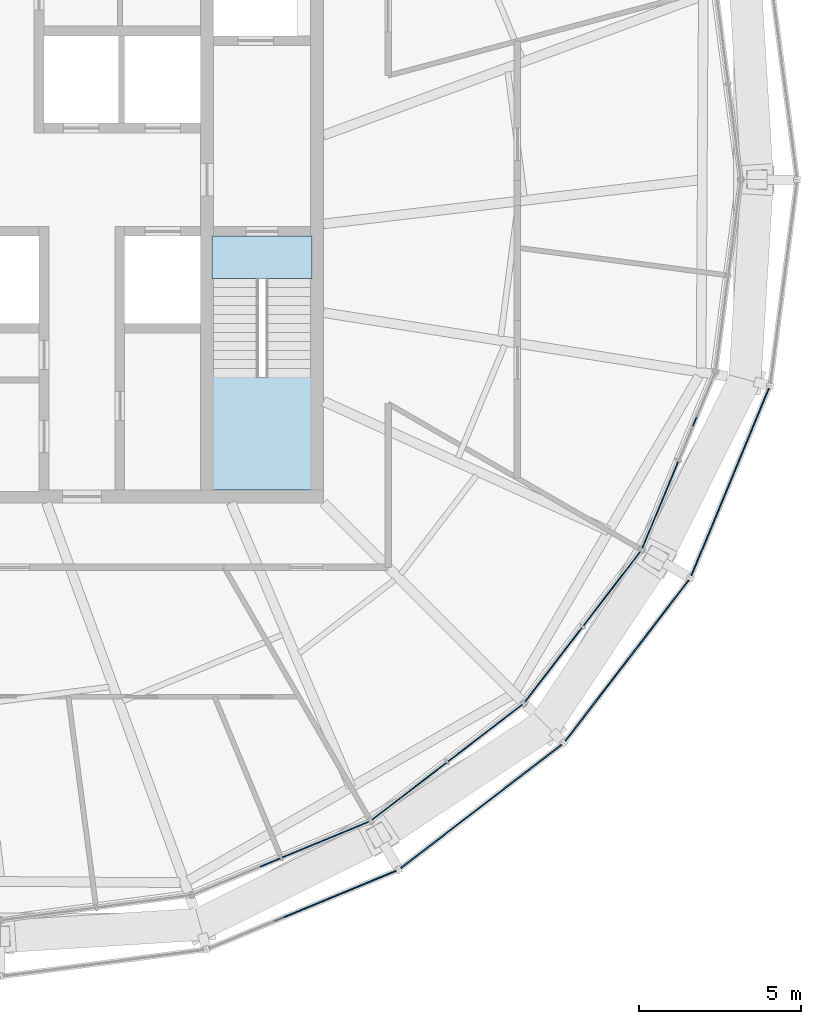
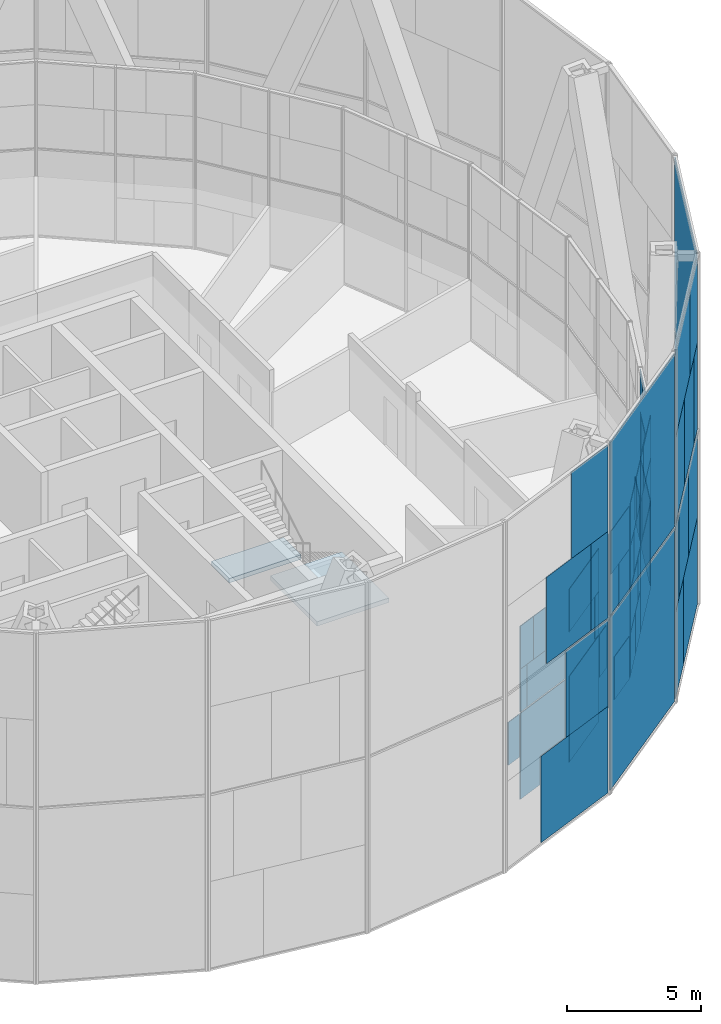
# One storey, part 14 of 23: 57 plates, 2 slabs, 9 elements without a shape of their own.
"""IFC4 building model written with IfcOpenShell, lengths in metres."""

from ifc_helpers import new_model, si_unit, direction, frame, origin, origin_2d, place, context, subcontext, project, spatial, polyline, rectangle, outline, extrude, material, layer, layer_set, type_object, element, aggregate, save


model = new_model("IFC4")

# Units and contexts
model_context = context("Model", 3, precision=1e-05, world=origin(), true_north=direction((0.0, 1.0)))
body_context = subcontext(model_context, "Body", "Model", "MODEL_VIEW")
ifc_project = project(units=[si_unit("LENGTHUNIT", "METRE"), si_unit("AREAUNIT", "SQUARE_METRE"), si_unit("VOLUMEUNIT", "CUBIC_METRE"), si_unit("PLANEANGLEUNIT", "RADIAN"), si_unit("MASSUNIT", "GRAM", prefix="KILO")], contexts=[model_context])

# Site, building, storey
site_placement = place(None, origin())
site = spatial("IfcSite", under=ifc_project, at=site_placement, CompositionType="ELEMENT")
building_placement = place(site_placement, origin())
building = spatial("IfcBuilding", under=site, at=building_placement, Name="Golbaran Civic Tower", CompositionType="ELEMENT")
storey_placement = place(building_placement, frame((0.0, 0.0, 232.0)))
storey = spatial("IfcBuildingStorey", under=building, at=storey_placement, Name="L56", CompositionType="ELEMENT", Elevation=232.0)

# Curtain wall, plates
ifc_material_1 = material(Name="Aluminium and glass", Category="aluminium")
curtain_wall_type_1 = type_object("IfcCurtainWallType", Name="INNER SKIN CURTAIN WALL EXECUTIVE", PredefinedType="NOTDEFINED", material=ifc_material_1)
curtain_wall_1_placement = place(storey_placement, origin())
curtain_wall_1 = element("IfcCurtainWall", 1, at=curtain_wall_1_placement, inside=storey, type_object=curtain_wall_type_1, Name="Inner skin L56 facet 20 CW2", ObjectType="INNER SKIN", PredefinedType="USERDEFINED")
ifc_material_2 = material(Name="Clear insulating glass", Category="glass")
ifc_layer_1 = layer(ifc_material_2, 0.031982421875, Name="Clear insulating glass")
ifc_layer_set_1 = layer_set([ifc_layer_1], Name="Clear insulating glass")
plate_type_1 = type_object("IfcPlateType", Name="INNER SKIN CURTAIN WALL EXECUTIVE GLAZED PANEL", PredefinedType="CURTAIN_PANEL", material=ifc_layer_set_1)
plate_1_placement = place(storey_placement, frame((8.356689453125, -21.127197265625, 2.014892578125), z_axis=(0.0, 0.0, 1.0), x_axis=(0.923879532511, 0.382683432365, 0.0)))
plate_1 = element("IfcPlate", 2, at=plate_1_placement, type_object=plate_type_1, Name="CW2 panel 1.1 part 4", PredefinedType="CURTAIN_PANEL", context=body_context, shape_type="SweptSolid", body=[
    extrude(rectangle(XDim=0.668701171875, YDim=0.031982421875, at=origin_2d()), origin(), (0.0, 0.0, 1.0), 1.955078125),
])
plate_2_placement = place(storey_placement, frame((10.06103515625, -20.421142578125, 0.06005859375), z_axis=(0.0, 0.0, 1.0), x_axis=(0.923879532511, 0.382683432365, 0.0)))
plate_2 = element("IfcPlate", 3, at=plate_2_placement, type_object=plate_type_1, Name="CW2 panel 2.1", PredefinedType="CURTAIN_PANEL", context=body_context, shape_type="SweptSolid", body=[
    extrude(rectangle(XDim=2.900634765625, YDim=0.031982421875, at=origin_2d()), origin(), (0.0, 0.0, 1.0), 3.909912109375),
])
plate_3_placement = place(storey_placement, frame((10.245849609375, -20.3447265625, 4.030029296875), z_axis=(0.0, 0.0, 1.0), x_axis=(0.923879532511, 0.382683432365, 0.0)))
plate_3 = element("IfcPlate", 4, at=plate_3_placement, type_object=plate_type_1, Name="CW2 panel 2.2 part 2", PredefinedType="CURTAIN_PANEL", context=body_context, shape_type="SweptSolid", body=[
    extrude(rectangle(XDim=2.500732421875, YDim=0.031982421875, at=origin_2d()), origin(), (0.0, 0.0, 1.0), 1.955078125),
])
plate_4_placement = place(storey_placement, frame((10.431640625, -20.267822265625, 5.98486328125), z_axis=(0.0, 0.0, 1.0), x_axis=(0.923879532511, 0.382683432365, 0.0)))
plate_4 = element("IfcPlate", 5, at=plate_4_placement, type_object=plate_type_1, Name="CW2 panel 2.2 part 4", PredefinedType="CURTAIN_PANEL", context=body_context, shape_type="SweptSolid", body=[
    extrude(rectangle(XDim=2.0986328125, YDim=0.031982421875, at=origin_2d()), origin(), (0.0, 0.0, 1.0), 1.955078125),
])

curtain_wall_2_placement = place(storey_placement, origin())
curtain_wall_2 = element("IfcCurtainWall", 6, at=curtain_wall_2_placement, inside=storey, type_object=curtain_wall_type_1, Name="Inner skin L56 facet 21 CW2", ObjectType="INNER SKIN", PredefinedType="USERDEFINED")
plate_5_placement = place(storey_placement, frame((12.65478515625, -18.923828125, 0.06005859375), z_axis=(0.0, 0.0, 1.0), x_axis=(0.793353340238, 0.608761429078, 0.0)))
plate_5 = element("IfcPlate", 7, at=plate_5_placement, type_object=plate_type_1, Name="CW2 panel 1.1", PredefinedType="CURTAIN_PANEL", context=body_context, shape_type="SweptSolid", body=[
    extrude(rectangle(XDim=2.900634765625, YDim=0.031982421875, at=origin_2d()), origin(), (0.0, 0.0, 1.0), 3.909912109375),
])
plate_6_placement = place(storey_placement, frame((12.495361328125, -19.046142578125, 4.030029296875), z_axis=(0.0, 0.0, 1.0), x_axis=(0.793353340238, 0.608761429078, 0.0)))
plate_6 = element("IfcPlate", 8, at=plate_6_placement, type_object=plate_type_1, Name="CW2 panel 1.2 part 1", PredefinedType="CURTAIN_PANEL", context=body_context, shape_type="SweptSolid", body=[
    extrude(rectangle(XDim=2.4990234375, YDim=0.031982421875, at=origin_2d()), origin(), (0.0, 0.0, 1.0), 1.955078125),
])
plate_7_placement = place(storey_placement, frame((12.33642578125, -19.168212890625, 5.98486328125), z_axis=(0.0, 0.0, 1.0), x_axis=(0.793353340238, 0.608761429078, 0.0)))
plate_7 = element("IfcPlate", 9, at=plate_7_placement, type_object=plate_type_1, Name="CW2 panel 1.2 part 3", PredefinedType="CURTAIN_PANEL", context=body_context, shape_type="SweptSolid", body=[
    extrude(rectangle(XDim=2.097900390625, YDim=0.031982421875, at=origin_2d()), origin(), (0.0, 0.0, 1.0), 1.955078125),
])
plate_8_placement = place(storey_placement, frame((14.41748046875, -17.5712890625, 0.06005859375), z_axis=(0.0, 0.0, 1.0), x_axis=(0.793353340238, 0.608761429078, 0.0)))
plate_8 = element("IfcPlate", 10, at=plate_8_placement, type_object=plate_type_1, Name="CW2 panel 2.1 part 1", PredefinedType="CURTAIN_PANEL", context=body_context, shape_type="SweptSolid", body=[
    extrude(rectangle(XDim=1.423095703125, YDim=0.031982421875, at=origin_2d()), origin(), (0.0, 0.0, 1.0), 1.955078125),
])
plate_9_placement = place(storey_placement, frame((14.118408203125, -17.80078125, 2.014892578125), z_axis=(0.0, 0.0, 1.0), x_axis=(0.793353340238, 0.608761429078, 0.0)))
plate_9 = element("IfcPlate", 11, at=plate_9_placement, type_object=plate_type_1, Name="CW2 panel 2.1 part 3", PredefinedType="CURTAIN_PANEL", context=body_context, shape_type="SweptSolid", body=[
    extrude(rectangle(XDim=0.6689453125, YDim=0.031982421875, at=origin_2d()), origin(), (0.0, 0.0, 1.0), 1.955078125),
])
plate_10_placement = place(storey_placement, frame((15.743408203125, -16.5537109375, 4.030029296875), z_axis=(0.0, 0.0, 1.0), x_axis=(0.793353340238, 0.608761429078, 0.0)))
plate_10 = element("IfcPlate", 12, at=plate_10_placement, type_object=plate_type_1, Name="CW2 panel 2.2 part 2", PredefinedType="CURTAIN_PANEL", context=body_context, shape_type="SweptSolid", body=[
    extrude(rectangle(XDim=1.03564453125, YDim=0.031982421875, at=origin_2d()), origin(), (0.0, 0.0, 1.0), 1.955078125),
])
plate_11_placement = place(storey_placement, frame((15.4443359375, -16.783203125, 5.98486328125), z_axis=(0.0, 0.0, 1.0), x_axis=(0.793353340238, 0.608761429078, 0.0)))
plate_11 = element("IfcPlate", 13, at=plate_11_placement, type_object=plate_type_1, Name="CW2 panel 2.2 part 4", PredefinedType="CURTAIN_PANEL", context=body_context, shape_type="SweptSolid", body=[
    extrude(rectangle(XDim=1.789794921875, YDim=0.031982421875, at=origin_2d()), origin(), (0.0, 0.0, 1.0), 1.955078125),
])

curtain_wall_3_placement = place(storey_placement, origin())
curtain_wall_3 = element("IfcCurtainWall", 14, at=curtain_wall_3_placement, inside=storey, type_object=curtain_wall_type_1, Name="Inner skin L56 facet 22 CW2", ObjectType="INNER SKIN", PredefinedType="USERDEFINED")
plate_12_placement = place(storey_placement, frame((17.5712890625, -14.41748046875, 0.06005859375), z_axis=(0.0, 0.0, 1.0), x_axis=(0.608761429078, 0.793353340238, 0.0)))
plate_12 = element("IfcPlate", 15, at=plate_12_placement, type_object=plate_type_1, Name="CW2 panel 1.1 part 2", PredefinedType="CURTAIN_PANEL", context=body_context, shape_type="SweptSolid", body=[
    extrude(rectangle(XDim=1.4228515625, YDim=0.031982421875, at=origin_2d()), origin(), (0.0, 0.0, 1.0), 1.955078125),
])
plate_13_placement = place(storey_placement, frame((17.80078125, -14.118408203125, 2.014892578125), z_axis=(0.0, 0.0, 1.0), x_axis=(0.608761429078, 0.793353340238, 0.0)))
plate_13 = element("IfcPlate", 16, at=plate_13_placement, type_object=plate_type_1, Name="CW2 panel 1.1 part 4", PredefinedType="CURTAIN_PANEL", context=body_context, shape_type="SweptSolid", body=[
    extrude(rectangle(XDim=0.668701171875, YDim=0.031982421875, at=origin_2d()), origin(), (0.0, 0.0, 1.0), 1.955078125),
])
plate_14_placement = place(storey_placement, frame((16.553466796875, -15.743896484375, 4.030029296875), z_axis=(0.0, 0.0, 1.0), x_axis=(0.608761429078, 0.793353340238, 0.0)))
plate_14 = element("IfcPlate", 17, at=plate_14_placement, type_object=plate_type_1, Name="CW2 panel 1.2 part 1", PredefinedType="CURTAIN_PANEL", context=body_context, shape_type="SweptSolid", body=[
    extrude(rectangle(XDim=1.034912109375, YDim=0.031982421875, at=origin_2d()), origin(), (0.0, 0.0, 1.0), 1.955078125),
])
plate_15_placement = place(storey_placement, frame((16.782958984375, -15.444580078125, 5.98486328125), z_axis=(0.0, 0.0, 1.0), x_axis=(0.608761429078, 0.793353340238, 0.0)))
plate_15 = element("IfcPlate", 18, at=plate_15_placement, type_object=plate_type_1, Name="CW2 panel 1.2 part 3", PredefinedType="CURTAIN_PANEL", context=body_context, shape_type="SweptSolid", body=[
    extrude(rectangle(XDim=1.7890625, YDim=0.031982421875, at=origin_2d()), origin(), (0.0, 0.0, 1.0), 1.955078125),
])
plate_16_placement = place(storey_placement, frame((18.923828125, -12.65478515625, 0.06005859375), z_axis=(0.0, 0.0, 1.0), x_axis=(0.608761429078, 0.793353340238, 0.0)))
plate_16 = element("IfcPlate", 19, at=plate_16_placement, type_object=plate_type_1, Name="CW2 panel 2.1", PredefinedType="CURTAIN_PANEL", context=body_context, shape_type="SweptSolid", body=[
    extrude(rectangle(XDim=2.900634765625, YDim=0.031982421875, at=origin_2d()), origin(), (0.0, 0.0, 1.0), 3.909912109375),
])
plate_17_placement = place(storey_placement, frame((19.045654296875, -12.49609375, 4.030029296875), z_axis=(0.0, 0.0, 1.0), x_axis=(0.608761429078, 0.793353340238, 0.0)))
plate_17 = element("IfcPlate", 20, at=plate_17_placement, type_object=plate_type_1, Name="CW2 panel 2.2 part 2", PredefinedType="CURTAIN_PANEL", context=body_context, shape_type="SweptSolid", body=[
    extrude(rectangle(XDim=2.500732421875, YDim=0.031982421875, at=origin_2d()), origin(), (0.0, 0.0, 1.0), 1.955078125),
])
plate_18_placement = place(storey_placement, frame((19.16796875, -12.336669921875, 5.98486328125), z_axis=(0.0, 0.0, 1.0), x_axis=(0.608761429078, 0.793353340238, 0.0)))
plate_18 = element("IfcPlate", 21, at=plate_18_placement, type_object=plate_type_1, Name="CW2 panel 2.2 part 4", PredefinedType="CURTAIN_PANEL", context=body_context, shape_type="SweptSolid", body=[
    extrude(rectangle(XDim=2.0986328125, YDim=0.031982421875, at=origin_2d()), origin(), (0.0, 0.0, 1.0), 1.955078125),
])

curtain_wall_4_placement = place(storey_placement, origin())
curtain_wall_4 = element("IfcCurtainWall", 22, at=curtain_wall_4_placement, inside=storey, type_object=curtain_wall_type_1, Name="Inner skin L56 facet 23 CW2", ObjectType="INNER SKIN", PredefinedType="USERDEFINED")
plate_19_placement = place(storey_placement, frame((20.421142578125, -10.06103515625, 0.06005859375), z_axis=(0.0, 0.0, 1.0), x_axis=(0.382683432365, 0.923879532511, 0.0)))
plate_19 = element("IfcPlate", 23, at=plate_19_placement, type_object=plate_type_1, Name="CW2 panel 1.1", PredefinedType="CURTAIN_PANEL", context=body_context, shape_type="SweptSolid", body=[
    extrude(rectangle(XDim=2.900634765625, YDim=0.031982421875, at=origin_2d()), origin(), (0.0, 0.0, 1.0), 3.909912109375),
])
plate_20_placement = place(storey_placement, frame((20.344482421875, -10.24658203125, 4.030029296875), z_axis=(0.0, 0.0, 1.0), x_axis=(0.382683432365, 0.923879532511, 0.0)))
plate_20 = element("IfcPlate", 24, at=plate_20_placement, type_object=plate_type_1, Name="CW2 panel 1.2 part 1", PredefinedType="CURTAIN_PANEL", context=body_context, shape_type="SweptSolid", body=[
    extrude(rectangle(XDim=2.4990234375, YDim=0.031982421875, at=origin_2d()), origin(), (0.0, 0.0, 1.0), 1.955078125),
])
plate_21_placement = place(storey_placement, frame((20.267578125, -10.431884765625, 5.98486328125), z_axis=(0.0, 0.0, 1.0), x_axis=(0.382683432365, 0.923879532511, 0.0)))
plate_21 = element("IfcPlate", 25, at=plate_21_placement, type_object=plate_type_1, Name="CW2 panel 1.2 part 3", PredefinedType="CURTAIN_PANEL", context=body_context, shape_type="SweptSolid", body=[
    extrude(rectangle(XDim=2.097900390625, YDim=0.031982421875, at=origin_2d()), origin(), (0.0, 0.0, 1.0), 1.955078125),
])
plate_22_placement = place(storey_placement, frame((21.271484375, -8.00830078125, 0.06005859375), z_axis=(0.0, 0.0, 1.0), x_axis=(0.382683432365, 0.923879532511, 0.0)))
plate_22 = element("IfcPlate", 26, at=plate_22_placement, type_object=plate_type_1, Name="CW2 panel 2.1 part 1", PredefinedType="CURTAIN_PANEL", context=body_context, shape_type="SweptSolid", body=[
    extrude(rectangle(XDim=1.423095703125, YDim=0.031982421875, at=origin_2d()), origin(), (0.0, 0.0, 1.0), 1.955078125),
])

# Plate
ifc_material_3 = material(Name="Aluminium faced opaque infill panel", Category="aluminium")
ifc_layer_2 = layer(ifc_material_3, 0.031982421875, Name="Aluminium faced opaque infill panel")
ifc_layer_set_2 = layer_set([ifc_layer_2], Name="Aluminium faced opaque infill panel")
plate_type_2 = type_object("IfcPlateType", Name="INNER SKIN CURTAIN WALL EXECUTIVE OPAQUE INFILL PANEL", PredefinedType="CURTAIN_PANEL", material=ifc_layer_set_2)
plate_23_placement = place(storey_placement, frame((8.906005859375, -20.899658203125, 4.030029296875), z_axis=(0.0, 0.0, 1.0), x_axis=(0.923879532511, 0.382683432365, 0.0)))
plate_23 = element("IfcPlate", 27, at=plate_23_placement, type_object=plate_type_2, Name="CW2 infill panel 2.2 part 1", PredefinedType="CURTAIN_PANEL", context=body_context, shape_type="SweptSolid", body=[
    extrude(rectangle(XDim=0.39990234375, YDim=0.031982421875, at=origin_2d()), origin(), (0.0, 0.0, 1.0), 1.955078125),
])

plate_24_placement = place(storey_placement, frame((9.091552734375, -20.82275390625, 5.98486328125), z_axis=(0.0, 0.0, 1.0), x_axis=(0.923879532511, 0.382683432365, 0.0)))
plate_24 = element("IfcPlate", 28, at=plate_24_placement, type_object=plate_type_2, Name="CW2 infill panel 2.2 part 3", PredefinedType="CURTAIN_PANEL", context=body_context, shape_type="SweptSolid", body=[
    extrude(rectangle(XDim=0.802001953125, YDim=0.031982421875, at=origin_2d()), origin(), (0.0, 0.0, 1.0), 1.955078125),
])

aggregate(curtain_wall_1, [plate_1, plate_2, plate_23, plate_3, plate_24, plate_4])

plate_25_placement = place(storey_placement, frame((13.64599609375, -18.1630859375, 4.030029296875), z_axis=(0.0, 0.0, 1.0), x_axis=(0.793353340238, 0.608761429078, 0.0)))
plate_25 = element("IfcPlate", 29, at=plate_25_placement, type_object=plate_type_2, Name="CW2 infill panel 1.2 part 2", PredefinedType="CURTAIN_PANEL", context=body_context, shape_type="SweptSolid", body=[
    extrude(rectangle(XDim=0.40185546875, YDim=0.031982421875, at=origin_2d()), origin(), (0.0, 0.0, 1.0), 1.955078125),
])

plate_26_placement = place(storey_placement, frame((13.487060546875, -18.28515625, 5.98486328125), z_axis=(0.0, 0.0, 1.0), x_axis=(0.793353340238, 0.608761429078, 0.0)))
plate_26 = element("IfcPlate", 30, at=plate_26_placement, type_object=plate_type_2, Name="CW2 infill panel 1.2 part 4", PredefinedType="CURTAIN_PANEL", context=body_context, shape_type="SweptSolid", body=[
    extrude(rectangle(XDim=0.802734375, YDim=0.031982421875, at=origin_2d()), origin(), (0.0, 0.0, 1.0), 1.955078125),
])

plate_27_placement = place(storey_placement, frame((15.568115234375, -16.688232421875, 0.06005859375), z_axis=(0.0, 0.0, 1.0), x_axis=(0.793353340238, 0.608761429078, 0.0)))
plate_27 = element("IfcPlate", 31, at=plate_27_placement, type_object=plate_type_2, Name="CW2 infill panel 2.1 part 2", PredefinedType="CURTAIN_PANEL", context=body_context, shape_type="SweptSolid", body=[
    extrude(rectangle(XDim=1.477783203125, YDim=0.031982421875, at=origin_2d()), origin(), (0.0, 0.0, 1.0), 1.955078125),
])

plate_28_placement = place(storey_placement, frame((15.26904296875, -16.917724609375, 2.014892578125), z_axis=(0.0, 0.0, 1.0), x_axis=(0.793353340238, 0.608761429078, 0.0)))
plate_28 = element("IfcPlate", 32, at=plate_28_placement, type_object=plate_type_2, Name="CW2 infill panel 2.1 part 4", PredefinedType="CURTAIN_PANEL", context=body_context, shape_type="SweptSolid", body=[
    extrude(rectangle(XDim=2.231689453125, YDim=0.031982421875, at=origin_2d()), origin(), (0.0, 0.0, 1.0), 1.955078125),
])

plate_29_placement = place(storey_placement, frame((14.5927734375, -17.436767578125, 4.030029296875), z_axis=(0.0, 0.0, 1.0), x_axis=(0.793353340238, 0.608761429078, 0.0)))
plate_29 = element("IfcPlate", 33, at=plate_29_placement, type_object=plate_type_2, Name="CW2 infill panel 2.2 part 1", PredefinedType="CURTAIN_PANEL", context=body_context, shape_type="SweptSolid", body=[
    extrude(rectangle(XDim=1.864990234375, YDim=0.031982421875, at=origin_2d()), origin(), (0.0, 0.0, 1.0), 1.955078125),
])

plate_30_placement = place(storey_placement, frame((14.293701171875, -17.666259765625, 5.98486328125), z_axis=(0.0, 0.0, 1.0), x_axis=(0.793353340238, 0.608761429078, 0.0)))
plate_30 = element("IfcPlate", 34, at=plate_30_placement, type_object=plate_type_2, Name="CW2 infill panel 2.2 part 3", PredefinedType="CURTAIN_PANEL", context=body_context, shape_type="SweptSolid", body=[
    extrude(rectangle(XDim=1.111083984375, YDim=0.031982421875, at=origin_2d()), origin(), (0.0, 0.0, 1.0), 1.955078125),
])

aggregate(curtain_wall_2, [plate_5, plate_6, plate_25, plate_7, plate_26, plate_8, plate_27, plate_9, plate_28, plate_29, plate_10, plate_30, plate_11])

plate_31_placement = place(storey_placement, frame((16.688232421875, -15.568115234375, 0.06005859375), z_axis=(0.0, 0.0, 1.0), x_axis=(0.608761429078, 0.793353340238, 0.0)))
plate_31 = element("IfcPlate", 35, at=plate_31_placement, type_object=plate_type_2, Name="CW2 infill panel 1.1 part 1", PredefinedType="CURTAIN_PANEL", context=body_context, shape_type="SweptSolid", body=[
    extrude(rectangle(XDim=1.47802734375, YDim=0.031982421875, at=origin_2d()), origin(), (0.0, 0.0, 1.0), 1.955078125),
])

plate_32_placement = place(storey_placement, frame((16.917724609375, -15.26904296875, 2.014892578125), z_axis=(0.0, 0.0, 1.0), x_axis=(0.608761429078, 0.793353340238, 0.0)))
plate_32 = element("IfcPlate", 36, at=plate_32_placement, type_object=plate_type_2, Name="CW2 infill panel 1.1 part 3", PredefinedType="CURTAIN_PANEL", context=body_context, shape_type="SweptSolid", body=[
    extrude(rectangle(XDim=2.23193359375, YDim=0.031982421875, at=origin_2d()), origin(), (0.0, 0.0, 1.0), 1.955078125),
])

plate_33_placement = place(storey_placement, frame((17.4365234375, -14.593017578125, 4.030029296875), z_axis=(0.0, 0.0, 1.0), x_axis=(0.608761429078, 0.793353340238, 0.0)))
plate_33 = element("IfcPlate", 37, at=plate_33_placement, type_object=plate_type_2, Name="CW2 infill panel 1.2 part 2", PredefinedType="CURTAIN_PANEL", context=body_context, shape_type="SweptSolid", body=[
    extrude(rectangle(XDim=1.86572265625, YDim=0.031982421875, at=origin_2d()), origin(), (0.0, 0.0, 1.0), 1.955078125),
])

plate_34_placement = place(storey_placement, frame((17.666015625, -14.2939453125, 5.98486328125), z_axis=(0.0, 0.0, 1.0), x_axis=(0.608761429078, 0.793353340238, 0.0)))
plate_34 = element("IfcPlate", 38, at=plate_34_placement, type_object=plate_type_2, Name="CW2 infill panel 1.2 part 4", PredefinedType="CURTAIN_PANEL", context=body_context, shape_type="SweptSolid", body=[
    extrude(rectangle(XDim=1.11181640625, YDim=0.031982421875, at=origin_2d()), origin(), (0.0, 0.0, 1.0), 1.955078125),
])

plate_35_placement = place(storey_placement, frame((18.16259765625, -13.646728515625, 4.030029296875), z_axis=(0.0, 0.0, 1.0), x_axis=(0.608761429078, 0.793353340238, 0.0)))
plate_35 = element("IfcPlate", 39, at=plate_35_placement, type_object=plate_type_2, Name="CW2 infill panel 2.2 part 1", PredefinedType="CURTAIN_PANEL", context=body_context, shape_type="SweptSolid", body=[
    extrude(rectangle(XDim=0.39990234375, YDim=0.031982421875, at=origin_2d()), origin(), (0.0, 0.0, 1.0), 1.955078125),
])

plate_36_placement = place(storey_placement, frame((18.284912109375, -13.4873046875, 5.98486328125), z_axis=(0.0, 0.0, 1.0), x_axis=(0.608761429078, 0.793353340238, 0.0)))
plate_36 = element("IfcPlate", 40, at=plate_36_placement, type_object=plate_type_2, Name="CW2 infill panel 2.2 part 3", PredefinedType="CURTAIN_PANEL", context=body_context, shape_type="SweptSolid", body=[
    extrude(rectangle(XDim=0.802001953125, YDim=0.031982421875, at=origin_2d()), origin(), (0.0, 0.0, 1.0), 1.955078125),
])

aggregate(curtain_wall_3, [plate_31, plate_12, plate_32, plate_13, plate_14, plate_33, plate_15, plate_34, plate_16, plate_35, plate_17, plate_36, plate_18])

plate_37_placement = place(storey_placement, frame((20.8994140625, -8.90673828125, 4.030029296875), z_axis=(0.0, 0.0, 1.0), x_axis=(0.382683432365, 0.923879532511, 0.0)))
plate_37 = element("IfcPlate", 41, at=plate_37_placement, type_object=plate_type_2, Name="CW2 infill panel 1.2 part 2", PredefinedType="CURTAIN_PANEL", context=body_context, shape_type="SweptSolid", body=[
    extrude(rectangle(XDim=0.40185546875, YDim=0.031982421875, at=origin_2d()), origin(), (0.0, 0.0, 1.0), 1.955078125),
])

plate_38_placement = place(storey_placement, frame((20.82275390625, -9.092041015625, 5.98486328125), z_axis=(0.0, 0.0, 1.0), x_axis=(0.382683432365, 0.923879532511, 0.0)))
plate_38 = element("IfcPlate", 42, at=plate_38_placement, type_object=plate_type_2, Name="CW2 infill panel 1.2 part 4", PredefinedType="CURTAIN_PANEL", context=body_context, shape_type="SweptSolid", body=[
    extrude(rectangle(XDim=0.802734375, YDim=0.031982421875, at=origin_2d()), origin(), (0.0, 0.0, 1.0), 1.955078125),
])

aggregate(curtain_wall_4, [plate_19, plate_20, plate_37, plate_21, plate_38, plate_22])

# Curtain wall, plates
curtain_wall_type_2 = type_object("IfcCurtainWallType", Name="OUTER SKIN TERRACOTTA SCREEN", PredefinedType="NOTDEFINED", material=ifc_material_1)
curtain_wall_5_placement = place(storey_placement, origin())
curtain_wall_5 = element("IfcCurtainWall", 43, at=curtain_wall_5_placement, inside=storey, type_object=curtain_wall_type_2, Name="Outer skin L56 facet 20 CW3", ObjectType="OUTER SKIN", PredefinedType="USERDEFINED")
ifc_material_4 = material(Name="Clear laminated glass", Category="glass")
ifc_layer_3 = layer(ifc_material_4, 0.0400390625, Name="Clear laminated glass")
ifc_layer_set_3 = layer_set([ifc_layer_3], Name="Clear laminated glass")
plate_type_3 = type_object("IfcPlateType", Name="OUTER SKIN CLEAR GLASS PANEL", PredefinedType="CURTAIN_PANEL", material=ifc_layer_set_3)
plate_39_placement = place(storey_placement, frame((10.36376953125, -22.165283203125, -0.6298828125), z_axis=(0.0, 0.0, 1.0), x_axis=(0.923879532505, 0.382683432381, 0.0)))
plate_39 = element("IfcPlate", 44, at=plate_39_placement, type_object=plate_type_3, Name="CW3 panel 1.1 part 2", PredefinedType="CURTAIN_PANEL", context=body_context, shape_type="SweptSolid", body=[
    extrude(rectangle(XDim=4.09130859375, YDim=0.0400390625, at=origin_2d()), origin(), (0.0, 0.0, 1.0), 3.93994140625),
])
plate_40_placement = place(storey_placement, frame((11.0654296875, -21.874755859375, 3.31005859375), z_axis=(0.0, 0.0, 1.0), x_axis=(0.923879532505, 0.382683432381, 0.0)))
plate_40 = element("IfcPlate", 45, at=plate_40_placement, type_object=plate_type_3, Name="CW3 panel 1.1 part 5", PredefinedType="CURTAIN_PANEL", context=body_context, shape_type="SweptSolid", body=[
    extrude(rectangle(XDim=2.572265625, YDim=0.0400390625, at=origin_2d()), origin(), (0.0, 0.0, 1.0), 3.93994140625),
])
plate_41_placement = place(storey_placement, frame((11.78173828125, -21.577880859375, 7.330078125), z_axis=(0.0, 0.0, 1.0), x_axis=(0.923879532505, 0.382683432381, 0.0)))
plate_41 = element("IfcPlate", 46, at=plate_41_placement, type_object=plate_type_3, Name="CW3 panel 1.2 part 3", PredefinedType="CURTAIN_PANEL", context=body_context, shape_type="SweptSolid", body=[
    extrude(rectangle(XDim=1.021240234375, YDim=0.0400390625, at=origin_2d()), origin(), (0.0, 0.0, 1.0), 3.93994140625),
])

curtain_wall_6_placement = place(storey_placement, origin())
curtain_wall_6 = element("IfcCurtainWall", 47, at=curtain_wall_6_placement, inside=storey, type_object=curtain_wall_type_2, Name="Outer skin L56 facet 22 CW3", ObjectType="OUTER SKIN", PredefinedType="USERDEFINED")
plate_42_placement = place(storey_placement, frame((20.057861328125, -14.013916015625, -0.6298828125), z_axis=(0.0, 0.0, 1.0), x_axis=(0.608761429009, 0.793353340291, 0.0)))
plate_42 = element("IfcPlate", 48, at=plate_42_placement, type_object=plate_type_3, Name="CW3 panel 1.1 part 2", PredefinedType="CURTAIN_PANEL", context=body_context, shape_type="SweptSolid", body=[
    extrude(rectangle(XDim=4.09130859375, YDim=0.0400390625, at=origin_2d()), origin(), (0.0, 0.0, 1.0), 3.93994140625),
])
plate_43_placement = place(storey_placement, frame((17.776123046875, -16.987548828125, 3.31005859375), z_axis=(0.0, 0.0, 1.0), x_axis=(0.608761429009, 0.793353340291, 0.0)))
plate_43 = element("IfcPlate", 49, at=plate_43_placement, type_object=plate_type_3, Name="CW3 panel 1.1 part 3", PredefinedType="CURTAIN_PANEL", context=body_context, shape_type="SweptSolid", body=[
    extrude(rectangle(XDim=0.965087890625, YDim=0.0400390625, at=origin_2d()), origin(), (0.0, 0.0, 1.0), 3.93994140625),
])
plate_44_placement = place(storey_placement, frame((20.520263671875, -13.411376953125, 3.31005859375), z_axis=(0.0, 0.0, 1.0), x_axis=(0.608761429009, 0.793353340291, 0.0)))
plate_44 = element("IfcPlate", 50, at=plate_44_placement, type_object=plate_type_3, Name="CW3 panel 1.1 part 5", PredefinedType="CURTAIN_PANEL", context=body_context, shape_type="SweptSolid", body=[
    extrude(rectangle(XDim=2.572265625, YDim=0.0400390625, at=origin_2d()), origin(), (0.0, 0.0, 1.0), 3.93994140625),
])
plate_45_placement = place(storey_placement, frame((18.248046875, -16.37255859375, 7.330078125), z_axis=(0.0, 0.0, 1.0), x_axis=(0.608761429009, 0.793353340291, 0.0)))
plate_45 = element("IfcPlate", 51, at=plate_45_placement, type_object=plate_type_3, Name="CW3 panel 1.2 part 1", PredefinedType="CURTAIN_PANEL", context=body_context, shape_type="SweptSolid", body=[
    extrude(rectangle(XDim=2.514892578125, YDim=0.0400390625, at=origin_2d()), origin(), (0.0, 0.0, 1.0), 3.93994140625),
])
plate_46_placement = place(storey_placement, frame((20.9921875, -12.796142578125, 7.330078125), z_axis=(0.0, 0.0, 1.0), x_axis=(0.608761429009, 0.793353340291, 0.0)))
plate_46 = element("IfcPlate", 52, at=plate_46_placement, type_object=plate_type_3, Name="CW3 panel 1.2 part 3", PredefinedType="CURTAIN_PANEL", context=body_context, shape_type="SweptSolid", body=[
    extrude(rectangle(XDim=1.021240234375, YDim=0.0400390625, at=origin_2d()), origin(), (0.0, 0.0, 1.0), 3.93994140625),
])
plate_47_placement = place(storey_placement, frame((18.712158203125, -15.767578125, 11.27001953125), z_axis=(0.0, 0.0, 1.0), x_axis=(0.608761429009, 0.793353340291, 0.0)))
plate_47 = element("IfcPlate", 53, at=plate_47_placement, type_object=plate_type_3, Name="CW3 panel 1.2 part 4", PredefinedType="CURTAIN_PANEL", context=body_context, shape_type="SweptSolid", body=[
    extrude(rectangle(XDim=4.0400390625, YDim=0.0400390625, at=origin_2d()), origin(), (0.0, 0.0, 1.0), 3.93994140625),
])

# Plate
ifc_material_5 = material(Name="Terracotta baguette screen", Category="masonry")
ifc_layer_4 = layer(ifc_material_5, 0.0400390625, Name="Terracotta baguette screen")
ifc_layer_set_4 = layer_set([ifc_layer_4], Name="Terracotta baguette screen")
plate_type_4 = type_object("IfcPlateType", Name="OUTER SKIN TERRACOTTA INFILL PANEL", PredefinedType="CURTAIN_PANEL", material=ifc_layer_set_4)
plate_48_placement = place(storey_placement, frame((10.04443359375, -22.297607421875, 7.330078125), z_axis=(0.0, 0.0, 1.0), x_axis=(0.923879532505, 0.382683432381, 0.0)))
plate_48 = element("IfcPlate", 54, at=plate_48_placement, type_object=plate_type_4, Name="CW3 infill panel 1.2 part 2", PredefinedType="CURTAIN_PANEL", context=body_context, shape_type="SweptSolid", body=[
    extrude(rectangle(XDim=2.739990234375, YDim=0.0400390625, at=origin_2d()), origin(), (0.0, 0.0, 1.0), 3.93994140625),
])

plate_49_placement = place(storey_placement, frame((11.220458984375, -21.810302734375, 11.27001953125), z_axis=(0.0, 0.0, 1.0), x_axis=(0.923879532505, 0.382683432381, 0.0)))
plate_49 = element("IfcPlate", 55, at=plate_49_placement, type_object=plate_type_4, Name="CW3 infill panel 1.2 part 5", PredefinedType="CURTAIN_PANEL", context=body_context, shape_type="SweptSolid", body=[
    extrude(rectangle(XDim=2.236328125, YDim=0.0400390625, at=origin_2d()), origin(), (0.0, 0.0, 1.0), 3.93994140625),
])

aggregate(curtain_wall_5, [plate_39, plate_40, plate_48, plate_41, plate_49])

plate_50_placement = place(storey_placement, frame((18.1474609375, -16.50341796875, -0.6298828125), z_axis=(0.0, 0.0, 1.0), x_axis=(0.608761429009, 0.793353340291, 0.0)))
plate_50 = element("IfcPlate", 56, at=plate_50_placement, type_object=plate_type_4, Name="CW3 infill panel 1.1 part 1", PredefinedType="CURTAIN_PANEL", context=body_context, shape_type="SweptSolid", body=[
    extrude(rectangle(XDim=2.18505859375, YDim=0.0400390625, at=origin_2d()), origin(), (0.0, 0.0, 1.0), 3.93994140625),
])

plate_51_placement = place(storey_placement, frame((18.903564453125, -15.51806640625, 3.31005859375), z_axis=(0.0, 0.0, 1.0), x_axis=(0.608761429009, 0.793353340291, 0.0)))
plate_51 = element("IfcPlate", 57, at=plate_51_placement, type_object=plate_type_4, Name="CW3 infill panel 1.1 part 4", PredefinedType="CURTAIN_PANEL", context=body_context, shape_type="SweptSolid", body=[
    extrude(rectangle(XDim=2.739013671875, YDim=0.0400390625, at=origin_2d()), origin(), (0.0, 0.0, 1.0), 3.93994140625),
])

plate_52_placement = place(storey_placement, frame((19.847412109375, -14.2880859375, 7.330078125), z_axis=(0.0, 0.0, 1.0), x_axis=(0.608761429009, 0.793353340291, 0.0)))
plate_52 = element("IfcPlate", 58, at=plate_52_placement, type_object=plate_type_4, Name="CW3 infill panel 1.2 part 2", PredefinedType="CURTAIN_PANEL", context=body_context, shape_type="SweptSolid", body=[
    extrude(rectangle(XDim=2.739990234375, YDim=0.0400390625, at=origin_2d()), origin(), (0.0, 0.0, 1.0), 3.93994140625),
])

plate_53_placement = place(storey_placement, frame((20.62255859375, -13.278076171875, 11.27001953125), z_axis=(0.0, 0.0, 1.0), x_axis=(0.608761429009, 0.793353340291, 0.0)))
plate_53 = element("IfcPlate", 59, at=plate_53_placement, type_object=plate_type_4, Name="CW3 infill panel 1.2 part 5", PredefinedType="CURTAIN_PANEL", context=body_context, shape_type="SweptSolid", body=[
    extrude(rectangle(XDim=2.236328125, YDim=0.0400390625, at=origin_2d()), origin(), (0.0, 0.0, 1.0), 3.93994140625),
])

aggregate(curtain_wall_6, [plate_50, plate_42, plate_43, plate_51, plate_44, plate_45, plate_52, plate_46, plate_47, plate_53])

# Curtain wall, plates
curtain_wall_7_placement = place(storey_placement, origin())
curtain_wall_7 = element("IfcCurtainWall", 60, at=curtain_wall_7_placement, inside=storey, type_object=curtain_wall_type_2, Name="Outer skin L56 facet 21 CW3", ObjectType="OUTER SKIN", PredefinedType="USERDEFINED")
ifc_layer_5 = layer(ifc_material_5, 0.0400390625, Name="Terracotta baguette screen")
ifc_layer_set_5 = layer_set([ifc_layer_5], Name="Terracotta baguette screen")
plate_type_5 = type_object("IfcPlateType", Name="OUTER SKIN TERRACOTTA SCREEN PANEL", PredefinedType="CURTAIN_PANEL", material=ifc_layer_set_5)
plate_54_placement = place(storey_placement, frame((14.880615234375, -19.392822265625, -0.6298828125), z_axis=(0.0, 0.0, 1.0), x_axis=(0.793353340291, 0.608761429009, 0.0)))
plate_54 = element("IfcPlate", 61, at=plate_54_placement, type_object=plate_type_5, Name="CW3 terracotta screen panel 1.1", PredefinedType="CURTAIN_PANEL", context=body_context, shape_type="SweptSolid", body=[
    extrude(rectangle(XDim=6.2763671875, YDim=0.0400390625, at=origin_2d()), origin(), (0.0, 0.0, 1.0), 7.8798828125),
])
plate_55_placement = place(storey_placement, frame((14.880615234375, -19.392822265625, 7.330078125), z_axis=(0.0, 0.0, 1.0), x_axis=(0.793353340291, 0.608761429009, 0.0)))
plate_55 = element("IfcPlate", 62, at=plate_55_placement, type_object=plate_type_5, Name="CW3 terracotta screen panel 1.2", PredefinedType="CURTAIN_PANEL", context=body_context, shape_type="SweptSolid", body=[
    extrude(rectangle(XDim=6.2763671875, YDim=0.0400390625, at=origin_2d()), origin(), (0.0, 0.0, 1.0), 7.8798828125),
])
aggregate(curtain_wall_7, [plate_54, plate_55])

curtain_wall_8_placement = place(storey_placement, origin())
curtain_wall_8 = element("IfcCurtainWall", 63, at=curtain_wall_8_placement, inside=storey, type_object=curtain_wall_type_2, Name="Outer skin L56 facet 23 CW3", ObjectType="OUTER SKIN", PredefinedType="USERDEFINED")
plate_56_placement = place(storey_placement, frame((22.58349609375, -9.354248046875, -0.6298828125), z_axis=(0.0, 0.0, 1.0), x_axis=(0.382683432381, 0.923879532505, 0.0)))
plate_56 = element("IfcPlate", 64, at=plate_56_placement, type_object=plate_type_5, Name="CW3 terracotta screen panel 1.1", PredefinedType="CURTAIN_PANEL", context=body_context, shape_type="SweptSolid", body=[
    extrude(rectangle(XDim=6.2763671875, YDim=0.0400390625, at=origin_2d()), origin(), (0.0, 0.0, 1.0), 7.8798828125),
])
plate_57_placement = place(storey_placement, frame((22.58349609375, -9.354248046875, 7.330078125), z_axis=(0.0, 0.0, 1.0), x_axis=(0.382683432381, 0.923879532505, 0.0)))
plate_57 = element("IfcPlate", 65, at=plate_57_placement, type_object=plate_type_5, Name="CW3 terracotta screen panel 1.2", PredefinedType="CURTAIN_PANEL", context=body_context, shape_type="SweptSolid", body=[
    extrude(rectangle(XDim=6.2763671875, YDim=0.0400390625, at=origin_2d()), origin(), (0.0, 0.0, 1.0), 7.8798828125),
])
aggregate(curtain_wall_8, [plate_56, plate_57])

# Stair, slab
ifc_material_6 = material(Name="Concrete C35/45", Category="concrete")
stair_type = type_object("IfcStairType", Name="EXIT STAIR 3000 x 7850, 4000 RISE", PredefinedType="HALF_TURN_STAIR", material=ifc_material_6)
stair_placement = place(storey_placement, origin())
stair = element("IfcStair", 66, at=stair_placement, inside=storey, type_object=stair_type, Name="Stair S2 L56", PredefinedType="HALF_TURN_STAIR")
ifc_layer_6 = layer(ifc_material_6, 0.199951171875, Name="Concrete C35/45")
ifc_layer_set_6 = layer_set([ifc_layer_6], Name="Concrete C35/45")
slab_type = type_object("IfcSlabType", Name="STAIR LANDING 200", PredefinedType="LANDING", material=ifc_layer_set_6)
slab_1_placement = place(storey_placement, frame((0.0, 0.0, 1.800048828125)))
slab_1 = element("IfcSlab", 67, at=slab_1_placement, type_object=slab_type, Name="ST30078-40 landing 1", PredefinedType="LANDING", context=body_context, shape_type="SweptSolid", body=[
    extrude(outline(polyline([(9.64990234375, -6.125), (9.64990234375, -9.60009765625), (6.550048828125, -9.60009765625), (6.550048828125, -6.125), (9.64990234375, -6.125)])), origin(), (0.0, 0.0, 1.0), 0.199951171875),
])
aggregate(stair, [slab_1])

# Slab
slab_2_placement = place(storey_placement, frame((0.0, 0.0, -0.199951171875)))
element("IfcSlab", 68, at=slab_2_placement, inside=storey, type_object=slab_type, Name="Stair S2 floor landing L56", PredefinedType="LANDING", context=body_context, shape_type="SweptSolid", body=[
    extrude(outline(polyline([(9.64990234375, -1.75), (9.64990234375, -3.054931640625), (6.550048828125, -3.054931640625), (6.550048828125, -1.75), (9.64990234375, -1.75)])), origin(), (0.0, 0.0, 1.0), 0.199951171875),
])

save(model, "model.ifc")
